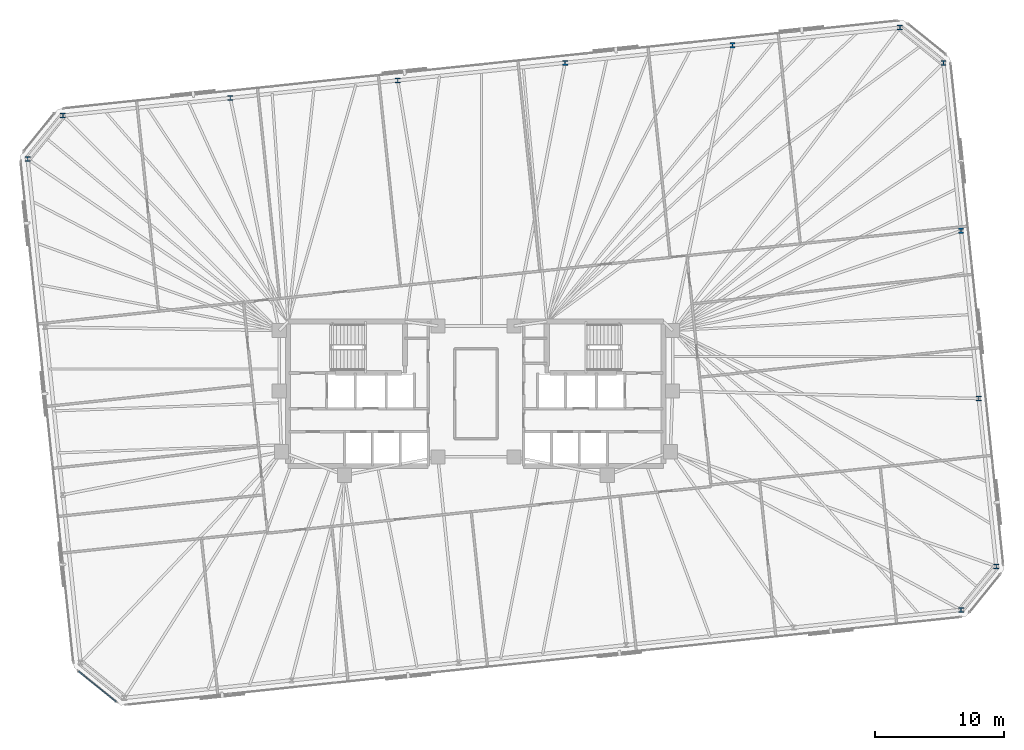
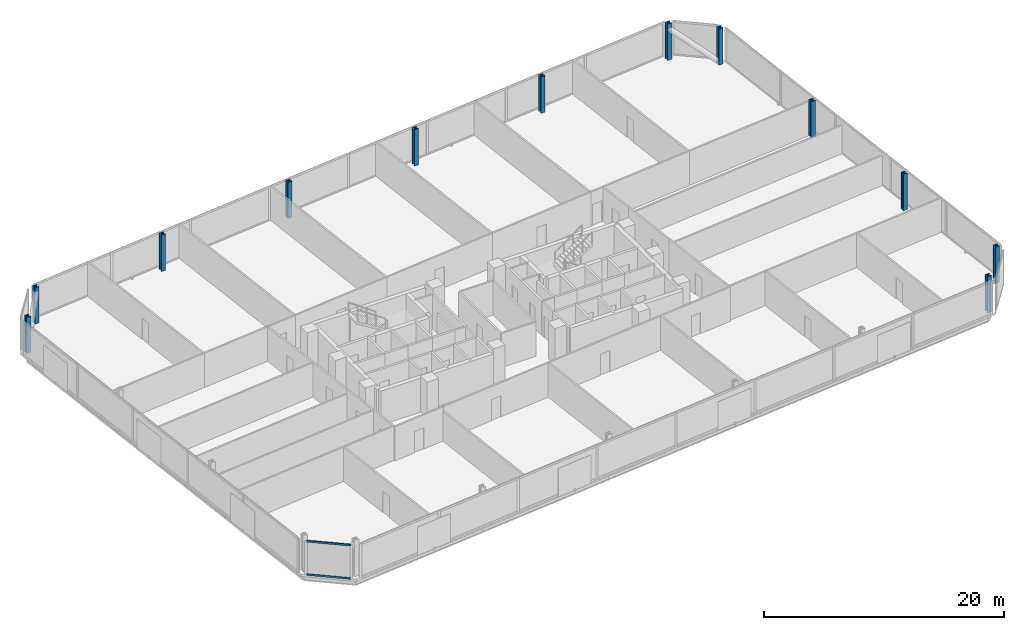
# One storey, part 5 of 18: 12 columns, 2 members, 1 element without a shape of its own.
"""IFC4 building model written with IfcOpenShell, lengths in metres."""

from ifc_helpers import new_model, si_unit, direction, frame, origin, origin_2d, place, context, subcontext, project, spatial, rectangle, i_section, extrude, material, material_profile, profile_set, type_object, element, aggregate, save


model = new_model("IFC4")

# Units and contexts
model_context = context("Model", 3, precision=1e-05, world=origin(), true_north=direction((0.0, 1.0)))
body_context = subcontext(model_context, "Body", "Model", "MODEL_VIEW")
ifc_project = project(units=[si_unit("LENGTHUNIT", "METRE"), si_unit("AREAUNIT", "SQUARE_METRE"), si_unit("VOLUMEUNIT", "CUBIC_METRE"), si_unit("PLANEANGLEUNIT", "RADIAN"), si_unit("MASSUNIT", "GRAM", prefix="KILO")], contexts=[model_context])

# Site, building, storey
site_placement = place(None, origin())
site = spatial("IfcSite", under=ifc_project, at=site_placement, CompositionType="ELEMENT")
building_placement = place(site_placement, origin())
building = spatial("IfcBuilding", under=site, at=building_placement, Name="Menara Jurai Vektor", CompositionType="ELEMENT")
storey_placement = place(building_placement, frame((0.0, 0.0, 120.699951171875)))
storey = spatial("IfcBuildingStorey", under=building, at=storey_placement, Name="L30", CompositionType="ELEMENT", Elevation=120.699951171875)

# Columns
ifc_material_1 = material(Name="Steel S460", Category="steel")
ifc_material_profile_1 = material_profile(ifc_material_1, i_section(OverallWidth=0.4130859375, OverallDepth=0.39794921875, WebThickness=0.055908203125, FlangeThickness=0.089111328125, FilletRadius=0.014892578125, at=origin_2d()), Name="HD 400x744")
ifc_profile_set_1 = profile_set([ifc_material_profile_1], Name="Steel S460")
column_type = type_object("IfcColumnType", Name="STR-EXO-BLK2", PredefinedType="COLUMN", material=ifc_profile_set_1)
for number, where, z_axis, x_axis, name in (
    (1, (37.621826171875, -16.76513671875, 0.0), (0.0, 0.0, 1.0), (1.0, 0.0, 0.0), "Exoskeleton Column BLK2-S6 L30"),
    (2, (40.356201171875, -13.388671875, 0.0), (0.0, 0.0, 1.0), (1.0, 0.0, 0.0), "Exoskeleton Column BLK2-E1 L30"),
    (3, (38.98828125, -0.375, 0.0), (0.0, 0.0, 1.0), (1.0, 0.0, 0.0), "Exoskeleton Column BLK2-E2 L30"),
    (4, (37.62060546875, 12.638427734375, 0.0), (0.0, 0.0, 1.0), (1.0, 0.0, 0.0), "Exoskeleton Column BLK2-E3 L30"),
    (5, (36.252685546875, 25.65185546875, 0.0), (0.0, 0.0, 1.0), (1.0, 0.0, 0.0), "Exoskeleton Column BLK2-E4 L30"),
    (6, (32.876220703125, 28.38623046875, 0.0), (0.0, 0.0, 1.0), (1.0, 0.0, 0.0), "Exoskeleton Column BLK2-N1 L30"),
    (7, (19.896728515625, 27.02197265625, 0.0), (0.0, 0.0, 1.0), (1.0, 0.0, 0.0), "Exoskeleton Column BLK2-N2 L30"),
    (8, (6.9169921875, 25.65771484375, 0.0), (0.0, 0.0, 1.0), (1.0, 0.0, 0.0), "Exoskeleton Column BLK2-N3 L30"),
    (9, (-6.0625, 24.29345703125, 0.0), (0.0, 0.0, 1.0), (1.0, 0.0, 0.0), "Exoskeleton Column BLK2-N4 L30"),
    (10, (-19.042236328125, 22.929443359375, 0.0), (0.0, 0.0, 1.0), (1.0, 0.0, 0.0), "Exoskeleton Column BLK2-N5 L30"),
    (11, (-32.02197265625, 21.565185546875, 0.0), (0.0, 0.0, 1.0), (1.0, 0.0, 0.0), "Exoskeleton Column BLK2-N6 L30"),
    (12, (-34.756103515625, 18.188720703125, 0.0), (0.0, 0.0, 1.0), (1.0, 0.0, 0.0), "Exoskeleton Column BLK2-W1 L30"),
):
    element("IfcColumn", number, at=place(storey_placement, frame(where, z_axis=z_axis, x_axis=x_axis)), inside=storey, type_object=column_type, Name=name, PredefinedType="COLUMN", context=body_context, shape_type="SweptSolid", body=[
        extrude(i_section(OverallWidth=0.4130859375, OverallDepth=0.39794921875, WebThickness=0.055908203125, FlangeThickness=0.089111328125, FilletRadius=0.014892578125, at=origin_2d()), origin(), (0.0, 0.0, 1.0), 3.699951171875),
    ])

# Curtain wall, members
ifc_material_2 = material(Name="Anodised Pale Aluminium & Low-E Double Glazing", Category="aluminium")
curtain_wall_type = type_object("IfcCurtainWallType", Name="CW-BLK2", PredefinedType="NOTDEFINED", material=ifc_material_2)
curtain_wall_placement = place(storey_placement, origin())
curtain_wall = element("IfcCurtainWall", 13, at=curtain_wall_placement, inside=storey, type_object=curtain_wall_type, Name="Unitised Curtain Wall L30 F08", PredefinedType="NOTDEFINED")
ifc_material_3 = material(Name="Anodised Pale Aluminium Transom", Category="aluminium")
ifc_material_profile_2 = material_profile(ifc_material_3, rectangle(XDim=0.090087890625, YDim=0.18505859375, at=origin_2d()), Name="ALU TRN 90x185")
ifc_profile_set_2 = profile_set([ifc_material_profile_2], Name="Anodised Pale Aluminium Transom")
member_type = type_object("IfcMemberType", Name="CW-BLK2-TRN", PredefinedType="USERDEFINED", material=ifc_profile_set_2)
member_1_placement = place(storey_placement, frame((-30.80078125, -21.525634765625, 0.045166015625), z_axis=(0.777128916205, -0.6293414396, 0.0), x_axis=(0.6293414396, 0.777128916205, 0.0)))
member_1 = element("IfcMember", 14, at=member_1_placement, type_object=member_type, Name="CW-02 transom 1.1", ObjectType="TRANSOM", PredefinedType="USERDEFINED", context=body_context, shape_type="SweptSolid", body=[
    extrude(rectangle(XDim=0.090087890625, YDim=0.18505859375, at=origin_2d()), origin(), (0.0, 0.0, 1.0), 3.726806640625),
])
member_2_placement = place(storey_placement, frame((-30.80078125, -21.525634765625, 3.429931640625), z_axis=(0.777128916205, -0.6293414396, 0.0), x_axis=(0.6293414396, 0.777128916205, 0.0)))
member_2 = element("IfcMember", 15, at=member_2_placement, type_object=member_type, Name="CW-02 transom 1.2", ObjectType="TRANSOM", PredefinedType="USERDEFINED", context=body_context, shape_type="SweptSolid", body=[
    extrude(rectangle(XDim=0.090087890625, YDim=0.18505859375, at=origin_2d()), origin(), (0.0, 0.0, 1.0), 3.726806640625),
])
aggregate(curtain_wall, [member_1, member_2])

save(model, "model.ifc")
